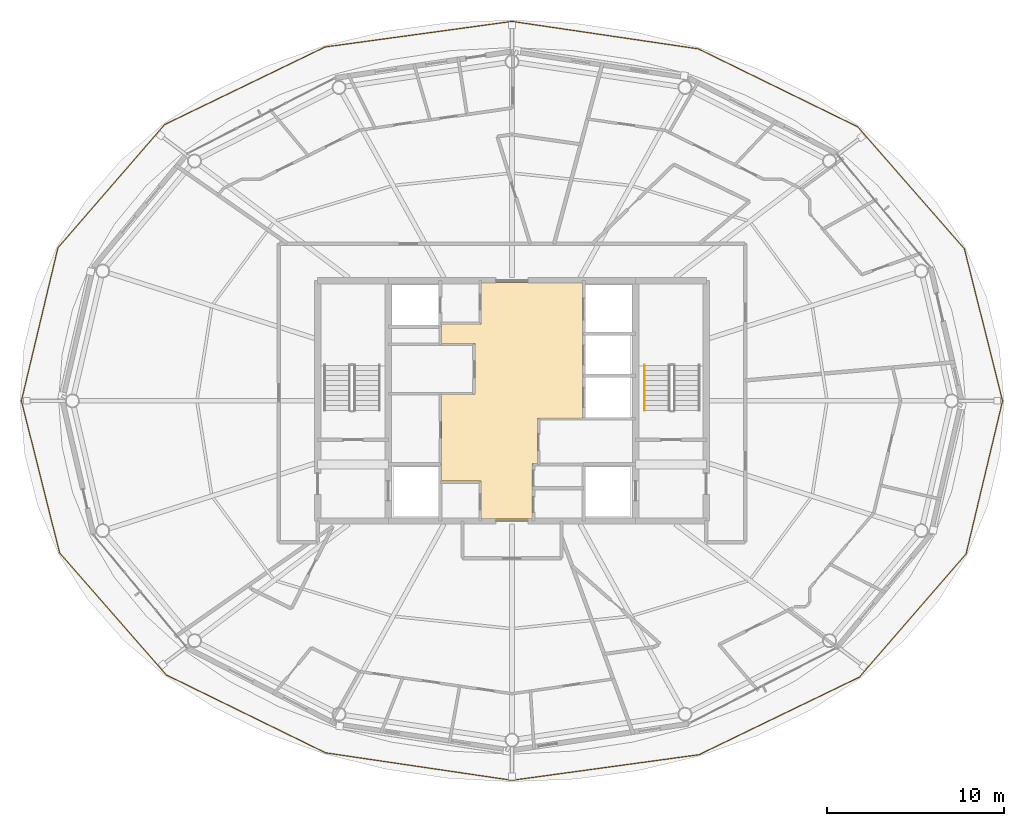
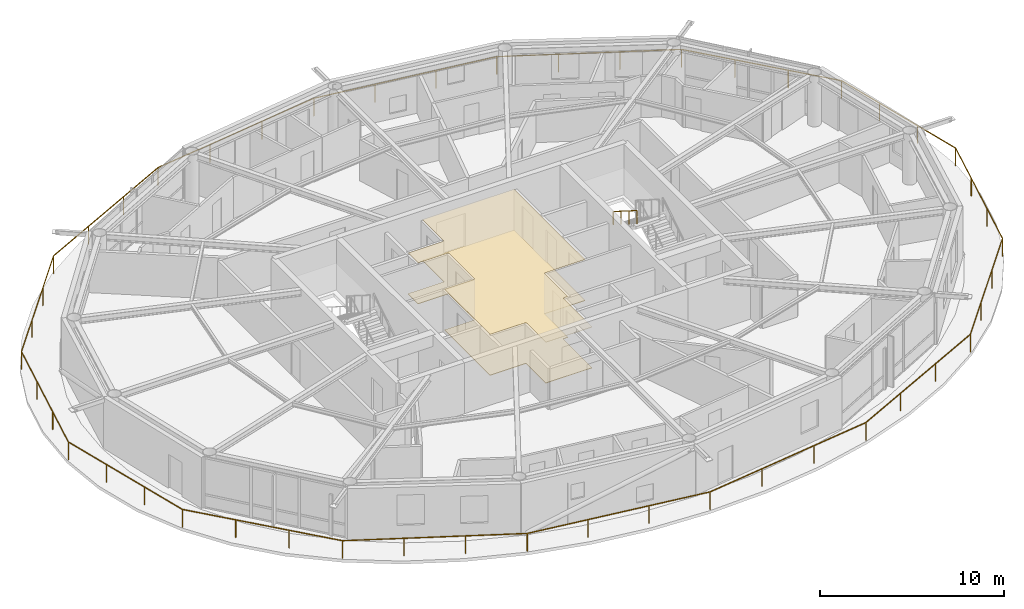
# One storey, part 22 of 23: 2 coverings, 2 railings.
"""IFC4 building model written with IfcOpenShell, lengths in metres."""

from ifc_helpers import new_model, si_unit, direction, frame, origin, origin_2d, place, context, subcontext, project, spatial, polyline, rectangle, outline, extrude, material, layer, layer_set, type_object, element, save


model = new_model("IFC4")

# Units and contexts
model_context = context("Model", 3, precision=1e-05, world=origin(), true_north=direction((0.0, 1.0)))
body_context = subcontext(model_context, "Body", "Model", "MODEL_VIEW")
ifc_project = project(units=[si_unit("LENGTHUNIT", "METRE"), si_unit("AREAUNIT", "SQUARE_METRE"), si_unit("VOLUMEUNIT", "CUBIC_METRE"), si_unit("PLANEANGLEUNIT", "RADIAN"), si_unit("MASSUNIT", "GRAM", prefix="KILO")], contexts=[model_context])

# Site, building, storey
site_placement = place(None, origin())
site = spatial("IfcSite", under=ifc_project, at=site_placement, CompositionType="ELEMENT")
building_placement = place(site_placement, origin())
building = spatial("IfcBuilding", under=site, at=building_placement, Name="Sarneth Arch Tower", CompositionType="ELEMENT")
storey_placement = place(building_placement, frame((0.0, 0.0, 280.199951171875)))
storey = spatial("IfcBuildingStorey", under=building, at=storey_placement, Name="L72", CompositionType="ELEMENT", Elevation=280.199951171875)

# Coverings
ifc_material_1 = material(Name="Perforated acoustic gypsum ceiling board")
ifc_layer_1 = layer(ifc_material_1, 0.02490234375)
ifc_layer_set_1 = layer_set([ifc_layer_1], Name="Perforated acoustic gypsum ceiling board")
covering_type_1 = type_object("IfcCoveringType", Name="COV-CEIL-GYP", PredefinedType="CEILING", material=ifc_layer_set_1)
covering_1_placement = place(storey_placement, frame((0.0, 0.0, 2.699951171875)))
element("IfcCovering", 1, at=covering_1_placement, inside=storey, type_object=covering_type_1, Name="L72 Lift lobby acoustic ceiling", PredefinedType="CEILING", context=body_context, shape_type="SweptSolid", body=[
    extrude(outline(polyline([(49.449951171875, 41.0), (49.449951171875, 38.449951171875), (49.14990234375, 38.449951171875), (49.14990234375, 35.300048828125), (46.25, 35.300048828125), (46.25, 37.449951171875), (44.0, 37.449951171875), (44.0, 42.39990234375), (45.89990234375, 42.39990234375), (45.89990234375, 45.25), (44.0, 45.25), (44.0, 46.35009765625), (46.25, 46.35009765625), (46.25, 48.699951171875), (52.0, 48.699951171875), (52.0, 41.0), (49.449951171875, 41.0)])), origin(), (0.0, 0.0, 1.0), 0.030029296875),
])
ifc_material_2 = material(Name="Honed granite stone flooring", Category="masonry")
ifc_layer_2 = layer(ifc_material_2, 0.030029296875)
ifc_layer_set_2 = layer_set([ifc_layer_2], Name="Honed granite stone flooring")
covering_type_2 = type_object("IfcCoveringType", Name="COV-FLR-STONE", PredefinedType="FLOORING", material=ifc_layer_set_2)
covering_2_placement = place(storey_placement, origin())
element("IfcCovering", 2, at=covering_2_placement, inside=storey, type_object=covering_type_2, Name="L72 Lift lobby granite flooring", PredefinedType="FLOORING", context=body_context, shape_type="SweptSolid", body=[
    extrude(outline(polyline([(49.449951171875, 41.0), (49.449951171875, 38.449951171875), (49.14990234375, 38.449951171875), (49.14990234375, 35.300048828125), (46.25, 35.300048828125), (46.25, 37.449951171875), (44.0, 37.449951171875), (44.0, 42.39990234375), (45.89990234375, 42.39990234375), (45.89990234375, 45.25), (44.0, 45.25), (44.0, 46.35009765625), (46.25, 46.35009765625), (46.25, 48.699951171875), (52.0, 48.699951171875), (52.0, 41.0), (49.449951171875, 41.0)])), origin(), (0.0, 0.0, 1.0), 0.030029296875),
])

# Railings
ifc_material_3 = material(Name="Laminated structural glass infill with Stainless Steel 316 top rail and posts", Category="steel")
railing_type_1 = type_object("IfcRailingType", Name="RAIL-BALC-1200", PredefinedType="BALUSTRADE", material=ifc_material_3)
railing_1_placement = place(storey_placement, frame((75.771240234375, 42.0, 0.0)))
element("IfcRailing", 3, at=railing_1_placement, inside=storey, type_object=railing_type_1, Name="L72 Helical balcony glass balustrade", PredefinedType="BALUSTRADE", context=body_context, shape_type="SweptSolid", body=[
    extrude(rectangle(XDim=0.048095703125, YDim=0.048095703125, at=origin_2d()), frame((0.0, 0.0, 1.17578125), z_axis=(-0.243835960454, 0.969816490058, 0.0), x_axis=(-0.969816490058, -0.243835960454, 0.0)), (0.0, 0.0, 1.0), 8.878173828125),
    extrude(rectangle(XDim=0.048095703125, YDim=0.048095703125, at=origin_2d()), frame((-2.164794921875, 8.610107421875, 1.17578125), z_axis=(-0.658318010523, 0.752739926549, 0.0), x_axis=(-0.752739926549, -0.658318010523, 0.0)), (0.0, 0.0, 1.0), 9.171142578125),
    extrude(rectangle(XDim=0.048095703125, YDim=0.048095703125, at=origin_2d()), frame((-8.202392578125, 15.513671875, 1.17578125), z_axis=(-0.898308221869, 0.439365836772, 0.0), x_axis=(-0.439365836772, -0.898308221869, 0.0)), (0.0, 0.0, 1.0), 10.039306640625),
    extrude(rectangle(XDim=0.048095703125, YDim=0.048095703125, at=origin_2d()), frame((-17.220703125, 19.924560546875, 1.17578125), z_axis=(-0.989310134259, 0.145826809099, 0.0), x_axis=(-0.145826809099, -0.989310134259, 0.0)), (0.0, 0.0, 1.0), 10.66455078125),
    extrude(rectangle(XDim=0.048095703125, YDim=0.048095703125, at=origin_2d()), frame((-27.771240234375, 21.479736328125, 1.17578125), z_axis=(-0.990755055436, -0.135662891492, 0.0), x_axis=(0.135662891492, -0.990755055436, 0.0)), (0.0, 0.0, 1.0), 10.6826171875),
    extrude(rectangle(XDim=0.048095703125, YDim=0.048095703125, at=origin_2d()), frame((-38.35498046875, 20.030517578125, 1.17578125), z_axis=(-0.900246181565, -0.435381226718, 0.0), x_axis=(0.435381226718, -0.900246181565, 0.0)), (0.0, 0.0, 1.0), 10.085693359375),
    extrude(rectangle(XDim=0.048095703125, YDim=0.048095703125, at=origin_2d()), frame((-47.4345703125, 15.639404296875, 1.17578125), z_axis=(-0.654633322605, -0.755946567513, 0.0), x_axis=(0.755946567513, -0.654633322605, 0.0)), (0.0, 0.0, 1.0), 9.22705078125),
    extrude(rectangle(XDim=0.048095703125, YDim=0.048095703125, at=origin_2d()), frame((-53.474853515625, 8.664306640625, 1.17578125), z_axis=(-0.232119489564, -0.972687278916, 0.0), x_axis=(0.972687278916, -0.232119489564, 0.0)), (0.0, 0.0, 1.0), 8.90771484375),
    extrude(rectangle(XDim=0.048095703125, YDim=0.048095703125, at=origin_2d()), frame((-55.54248046875, 0.0, 1.17578125), z_axis=(0.243835960454, -0.969816490058, 0.0), x_axis=(0.969816490058, 0.243835960454, 0.0)), (0.0, 0.0, 1.0), 8.878173828125),
    extrude(rectangle(XDim=0.048095703125, YDim=0.048095703125, at=origin_2d()), frame((-53.377685546875, -8.610107421875, 1.17578125), z_axis=(0.658318010523, -0.752739926549, 0.0), x_axis=(0.752739926549, 0.658318010523, 0.0)), (0.0, 0.0, 1.0), 9.171142578125),
    extrude(rectangle(XDim=0.048095703125, YDim=0.048095703125, at=origin_2d()), frame((-47.340087890625, -15.513671875, 1.17578125), z_axis=(0.898308221869, -0.439365836772, 0.0), x_axis=(0.439365836772, 0.898308221869, 0.0)), (0.0, 0.0, 1.0), 10.039306640625),
    extrude(rectangle(XDim=0.048095703125, YDim=0.048095703125, at=origin_2d()), frame((-38.32177734375, -19.924560546875, 1.17578125), z_axis=(0.989310134259, -0.145826809099, 0.0), x_axis=(0.145826809099, 0.989310134259, 0.0)), (0.0, 0.0, 1.0), 10.66455078125),
    extrude(rectangle(XDim=0.048095703125, YDim=0.048095703125, at=origin_2d()), frame((-27.771240234375, -21.479736328125, 1.17578125), z_axis=(0.990755055436, 0.135662891492, 0.0), x_axis=(-0.135662891492, 0.990755055436, 0.0)), (0.0, 0.0, 1.0), 10.6826171875),
    extrude(rectangle(XDim=0.048095703125, YDim=0.048095703125, at=origin_2d()), frame((-17.1875, -20.030517578125, 1.17578125), z_axis=(0.900246181565, 0.435381226718, 0.0), x_axis=(-0.435381226718, 0.900246181565, 0.0)), (0.0, 0.0, 1.0), 10.085693359375),
    extrude(rectangle(XDim=0.048095703125, YDim=0.048095703125, at=origin_2d()), frame((-8.10791015625, -15.639404296875, 1.17578125), z_axis=(0.654633322605, 0.755946567513, 0.0), x_axis=(-0.755946567513, 0.654633322605, 0.0)), (0.0, 0.0, 1.0), 9.22705078125),
    extrude(rectangle(XDim=0.048095703125, YDim=0.048095703125, at=origin_2d()), frame((-2.067626953125, -8.664306640625, 1.17578125), z_axis=(0.232119489564, 0.972687278916, 0.0), x_axis=(-0.972687278916, 0.232119489564, 0.0)), (0.0, 0.0, 1.0), 8.90771484375),
    extrude(rectangle(XDim=0.0419921875, YDim=0.0419921875, at=origin_2d()), origin(), (0.0, 0.0, 1.0), 1.15185546875),
    extrude(rectangle(XDim=0.0419921875, YDim=0.0419921875, at=origin_2d()), frame((-0.7216796875, 2.8701171875, 0.0)), (0.0, 0.0, 1.0), 1.15185546875),
    extrude(rectangle(XDim=0.0419921875, YDim=0.0419921875, at=origin_2d()), frame((-1.443115234375, 5.739990234375, 0.0)), (0.0, 0.0, 1.0), 1.15185546875),
    extrude(rectangle(XDim=0.0419921875, YDim=0.0419921875, at=origin_2d()), frame((-2.164794921875, 8.610107421875, 0.0)), (0.0, 0.0, 1.0), 1.15185546875),
    extrude(rectangle(XDim=0.0419921875, YDim=0.0419921875, at=origin_2d()), frame((-4.17724609375, 10.911376953125, 0.0)), (0.0, 0.0, 1.0), 1.15185546875),
    extrude(rectangle(XDim=0.0419921875, YDim=0.0419921875, at=origin_2d()), frame((-6.18994140625, 13.21240234375, 0.0)), (0.0, 0.0, 1.0), 1.15185546875),
    extrude(rectangle(XDim=0.0419921875, YDim=0.0419921875, at=origin_2d()), frame((-8.202392578125, 15.513671875, 0.0)), (0.0, 0.0, 1.0), 1.15185546875),
    extrude(rectangle(XDim=0.0419921875, YDim=0.0419921875, at=origin_2d()), frame((-11.20849609375, 16.98388671875, 0.0)), (0.0, 0.0, 1.0), 1.15185546875),
    extrude(rectangle(XDim=0.0419921875, YDim=0.0419921875, at=origin_2d()), frame((-14.214599609375, 18.454345703125, 0.0)), (0.0, 0.0, 1.0), 1.15185546875),
    extrude(rectangle(XDim=0.0419921875, YDim=0.0419921875, at=origin_2d()), frame((-17.220703125, 19.924560546875, 0.0)), (0.0, 0.0, 1.0), 1.15185546875),
    extrude(rectangle(XDim=0.0419921875, YDim=0.0419921875, at=origin_2d()), frame((-20.737548828125, 20.44287109375, 0.0)), (0.0, 0.0, 1.0), 1.15185546875),
    extrude(rectangle(XDim=0.0419921875, YDim=0.0419921875, at=origin_2d()), frame((-24.25439453125, 20.96142578125, 0.0)), (0.0, 0.0, 1.0), 1.15185546875),
    extrude(rectangle(XDim=0.0419921875, YDim=0.0419921875, at=origin_2d()), frame((-27.771240234375, 21.479736328125, 0.0)), (0.0, 0.0, 1.0), 1.15185546875),
    extrude(rectangle(XDim=0.0419921875, YDim=0.0419921875, at=origin_2d()), frame((-31.299072265625, 20.99658203125, 0.0)), (0.0, 0.0, 1.0), 1.15185546875),
    extrude(rectangle(XDim=0.0419921875, YDim=0.0419921875, at=origin_2d()), frame((-34.8271484375, 20.513671875, 0.0)), (0.0, 0.0, 1.0), 1.15185546875),
    extrude(rectangle(XDim=0.0419921875, YDim=0.0419921875, at=origin_2d()), frame((-38.35498046875, 20.030517578125, 0.0)), (0.0, 0.0, 1.0), 1.15185546875),
    extrude(rectangle(XDim=0.0419921875, YDim=0.0419921875, at=origin_2d()), frame((-41.381591796875, 18.56689453125, 0.0)), (0.0, 0.0, 1.0), 1.15185546875),
    extrude(rectangle(XDim=0.0419921875, YDim=0.0419921875, at=origin_2d()), frame((-44.407958984375, 17.10302734375, 0.0)), (0.0, 0.0, 1.0), 1.15185546875),
    extrude(rectangle(XDim=0.0419921875, YDim=0.0419921875, at=origin_2d()), frame((-47.4345703125, 15.639404296875, 0.0)), (0.0, 0.0, 1.0), 1.15185546875),
    extrude(rectangle(XDim=0.0419921875, YDim=0.0419921875, at=origin_2d()), frame((-49.447998046875, 13.314453125, 0.0)), (0.0, 0.0, 1.0), 1.15185546875),
    extrude(rectangle(XDim=0.0419921875, YDim=0.0419921875, at=origin_2d()), frame((-51.46142578125, 10.9892578125, 0.0)), (0.0, 0.0, 1.0), 1.15185546875),
    extrude(rectangle(XDim=0.0419921875, YDim=0.0419921875, at=origin_2d()), frame((-53.474853515625, 8.664306640625, 0.0)), (0.0, 0.0, 1.0), 1.15185546875),
    extrude(rectangle(XDim=0.0419921875, YDim=0.0419921875, at=origin_2d()), frame((-54.1640625, 5.776123046875, 0.0)), (0.0, 0.0, 1.0), 1.15185546875),
    extrude(rectangle(XDim=0.0419921875, YDim=0.0419921875, at=origin_2d()), frame((-54.853271484375, 2.88818359375, 0.0)), (0.0, 0.0, 1.0), 1.15185546875),
    extrude(rectangle(XDim=0.0419921875, YDim=0.0419921875, at=origin_2d()), frame((-55.54248046875, 0.0, 0.0)), (0.0, 0.0, 1.0), 1.15185546875),
    extrude(rectangle(XDim=0.0419921875, YDim=0.0419921875, at=origin_2d()), frame((-54.82080078125, -2.8701171875, 0.0)), (0.0, 0.0, 1.0), 1.15185546875),
    extrude(rectangle(XDim=0.0419921875, YDim=0.0419921875, at=origin_2d()), frame((-54.099365234375, -5.739990234375, 0.0)), (0.0, 0.0, 1.0), 1.15185546875),
    extrude(rectangle(XDim=0.0419921875, YDim=0.0419921875, at=origin_2d()), frame((-53.377685546875, -8.610107421875, 0.0)), (0.0, 0.0, 1.0), 1.15185546875),
    extrude(rectangle(XDim=0.0419921875, YDim=0.0419921875, at=origin_2d()), frame((-51.365234375, -10.911376953125, 0.0)), (0.0, 0.0, 1.0), 1.15185546875),
    extrude(rectangle(XDim=0.0419921875, YDim=0.0419921875, at=origin_2d()), frame((-49.3525390625, -13.21240234375, 0.0)), (0.0, 0.0, 1.0), 1.15185546875),
    extrude(rectangle(XDim=0.0419921875, YDim=0.0419921875, at=origin_2d()), frame((-47.340087890625, -15.513671875, 0.0)), (0.0, 0.0, 1.0), 1.15185546875),
    extrude(rectangle(XDim=0.0419921875, YDim=0.0419921875, at=origin_2d()), frame((-44.333984375, -16.98388671875, 0.0)), (0.0, 0.0, 1.0), 1.15185546875),
    extrude(rectangle(XDim=0.0419921875, YDim=0.0419921875, at=origin_2d()), frame((-41.327880859375, -18.454345703125, 0.0)), (0.0, 0.0, 1.0), 1.15185546875),
    extrude(rectangle(XDim=0.0419921875, YDim=0.0419921875, at=origin_2d()), frame((-38.32177734375, -19.924560546875, 0.0)), (0.0, 0.0, 1.0), 1.15185546875),
    extrude(rectangle(XDim=0.0419921875, YDim=0.0419921875, at=origin_2d()), frame((-34.804931640625, -20.44287109375, 0.0)), (0.0, 0.0, 1.0), 1.15185546875),
    extrude(rectangle(XDim=0.0419921875, YDim=0.0419921875, at=origin_2d()), frame((-31.2880859375, -20.96142578125, 0.0)), (0.0, 0.0, 1.0), 1.15185546875),
    extrude(rectangle(XDim=0.0419921875, YDim=0.0419921875, at=origin_2d()), frame((-27.771240234375, -21.479736328125, 0.0)), (0.0, 0.0, 1.0), 1.15185546875),
    extrude(rectangle(XDim=0.0419921875, YDim=0.0419921875, at=origin_2d()), frame((-24.243408203125, -20.99658203125, 0.0)), (0.0, 0.0, 1.0), 1.15185546875),
    extrude(rectangle(XDim=0.0419921875, YDim=0.0419921875, at=origin_2d()), frame((-20.71533203125, -20.513671875, 0.0)), (0.0, 0.0, 1.0), 1.15185546875),
    extrude(rectangle(XDim=0.0419921875, YDim=0.0419921875, at=origin_2d()), frame((-17.1875, -20.030517578125, 0.0)), (0.0, 0.0, 1.0), 1.15185546875),
    extrude(rectangle(XDim=0.0419921875, YDim=0.0419921875, at=origin_2d()), frame((-14.160888671875, -18.56689453125, 0.0)), (0.0, 0.0, 1.0), 1.15185546875),
    extrude(rectangle(XDim=0.0419921875, YDim=0.0419921875, at=origin_2d()), frame((-11.134521484375, -17.10302734375, 0.0)), (0.0, 0.0, 1.0), 1.15185546875),
    extrude(rectangle(XDim=0.0419921875, YDim=0.0419921875, at=origin_2d()), frame((-8.10791015625, -15.639404296875, 0.0)), (0.0, 0.0, 1.0), 1.15185546875),
    extrude(rectangle(XDim=0.0419921875, YDim=0.0419921875, at=origin_2d()), frame((-6.094482421875, -13.314453125, 0.0)), (0.0, 0.0, 1.0), 1.15185546875),
    extrude(rectangle(XDim=0.0419921875, YDim=0.0419921875, at=origin_2d()), frame((-4.0810546875, -10.9892578125, 0.0)), (0.0, 0.0, 1.0), 1.15185546875),
    extrude(rectangle(XDim=0.0419921875, YDim=0.0419921875, at=origin_2d()), frame((-2.067626953125, -8.664306640625, 0.0)), (0.0, 0.0, 1.0), 1.15185546875),
    extrude(rectangle(XDim=0.0419921875, YDim=0.0419921875, at=origin_2d()), frame((-1.37841796875, -5.776123046875, 0.0)), (0.0, 0.0, 1.0), 1.15185546875),
    extrude(rectangle(XDim=0.0419921875, YDim=0.0419921875, at=origin_2d()), frame((-0.689208984375, -2.88818359375, 0.0)), (0.0, 0.0, 1.0), 1.15185546875),
])
ifc_material_4 = material(Name="Brushed Stainless Steel 304 tubular handrail", Category="steel")
railing_type_2 = type_object("IfcRailingType", Name="RAIL-HANDRAIL-900", PredefinedType="HANDRAIL", material=ifc_material_4)
railing_2_placement = place(storey_placement, frame((55.5, 44.014892578125, 1.97998046875)))
element("IfcRailing", 4, at=railing_2_placement, inside=storey, type_object=railing_type_2, Name="L72 ST-2 stair handrail 2", PredefinedType="HANDRAIL", context=body_context, shape_type="SweptSolid", body=[
    extrude(rectangle(XDim=0.048095703125, YDim=0.048095703125, at=origin_2d()), frame((0.0, 0.0, 0.8759765625), z_axis=(0.0, -0.845465955043, 0.534029323973), x_axis=(1.0, 0.0, 0.0)), (0.0, 0.0, 1.0), 3.03369140625),
    extrude(rectangle(XDim=0.0419921875, YDim=0.0419921875, at=origin_2d()), origin(), (0.0, 0.0, 1.0), 0.851806640625),
    extrude(rectangle(XDim=0.0419921875, YDim=0.0419921875, at=origin_2d()), frame((0.0, -0.85498046875, 0.5400390625)), (0.0, 0.0, 1.0), 0.851806640625),
    extrude(rectangle(XDim=0.0419921875, YDim=0.0419921875, at=origin_2d()), frame((0.0, -1.7099609375, 1.080078125)), (0.0, 0.0, 1.0), 0.851806640625),
    extrude(rectangle(XDim=0.0419921875, YDim=0.0419921875, at=origin_2d()), frame((0.0, -2.56494140625, 1.6201171875)), (0.0, 0.0, 1.0), 0.851806640625),
])

save(model, "model.ifc")
